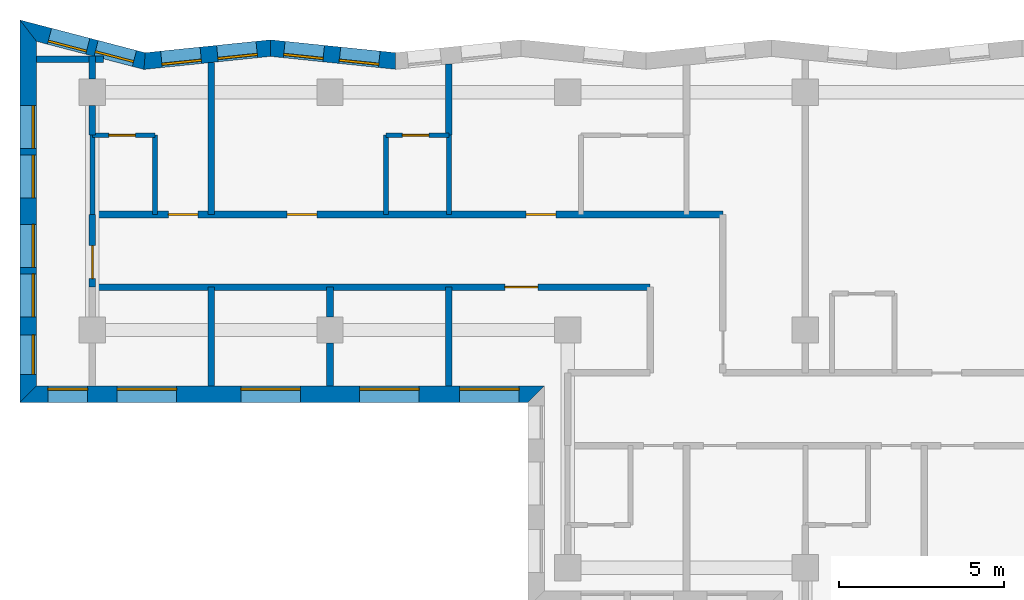
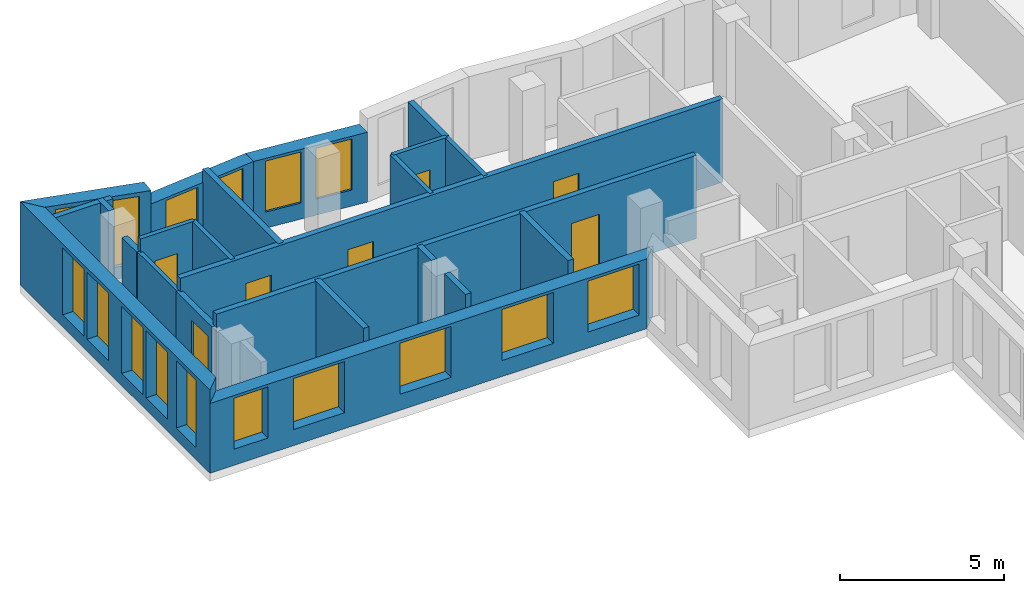
# One storey, part 5 of 12: 23 walls, 16 windows, 7 doors, 23 openings.
"""IFC4 building model written with IfcOpenShell, lengths in metres."""

from ifc_helpers import new_model, si_unit, direction, frame, frame_2d, origin, place, context, subcontext, project, spatial, polyline, rectangle, outline, extrude, material, layer, layer_set, type_object, element, fill, save


model = new_model("IFC4")

# Units and contexts
model_context = context("Model", 3, precision=1e-05, world=origin(), true_north=direction((0.0, 1.0)))
body_context = subcontext(model_context, "Body", "Model", "MODEL_VIEW")
ifc_project = project(units=[si_unit("LENGTHUNIT", "METRE"), si_unit("AREAUNIT", "SQUARE_METRE"), si_unit("VOLUMEUNIT", "CUBIC_METRE"), si_unit("PLANEANGLEUNIT", "RADIAN"), si_unit("MASSUNIT", "GRAM", prefix="KILO")], contexts=[model_context])

# Site, building, storey
site_placement = place(None, origin())
site = spatial("IfcSite", under=ifc_project, at=site_placement, CompositionType="ELEMENT")
building_placement = place(site_placement, origin())
building = spatial("IfcBuilding", under=site, at=building_placement, Name="Windrow Commons", CompositionType="ELEMENT")
storey_placement = place(building_placement, frame((0.0, 0.0, 199.8)))
storey = spatial("IfcBuildingStorey", under=building, at=storey_placement, Name="L54", CompositionType="ELEMENT", Elevation=199.8)

# Wall, openings, windows
ifc_material_1 = material(Name="Brick masonry, red clay brick", Category="masonry")
ifc_layer_1 = layer(ifc_material_1, 0.5)
ifc_layer_set_1 = layer_set([ifc_layer_1], Name="Brick facade wall 500")
wall_type_1 = type_object("IfcWallType", Name="Brick facade wall 500", PredefinedType="SOLIDWALL", material=ifc_layer_set_1)
wall_1_placement = place(storey_placement, frame((30.79, 72.9487, 0.0), z_axis=(0.0, 0.0, 1.0), x_axis=(-0.9947306832, 0.1025225234, 0.0)))
wall_1 = element("IfcWall", 1, at=wall_1_placement, inside=storey, type_object=wall_type_1, Name="Brick facade wall L54 30", PredefinedType="SOLIDWALL", context=body_context, shape_type="SweptSolid", body=[
    extrude(outline(polyline([(0.0258, -0.25), (3.8395, -0.25), (3.788, 0.25), (-0.0258, 0.25), (0.0258, -0.25)])), origin(), (0.0, 0.0, 1.0), 2.6),
])
opening_1_placement = place(wall_1_placement, frame((0.5003, 0.0, 0.6)))
opening_1 = element("IfcOpeningElement", 2, at=opening_1_placement, cuts=wall_1, Name="Opening W7G", PredefinedType="OPENING", context=body_context, shape_type="SweptSolid", body=[
    extrude(rectangle(XDim=1.2, YDim=1.9, at=frame_2d((0.6, 0.95))), frame((0.0, 0.26, 0.0), z_axis=(0.0, -1.0, 0.0), x_axis=(1.0, 0.0, 0.0)), (0.0, 0.0, 1.0), 0.52),
])
opening_2_placement = place(wall_1_placement, frame((2.1943, 0.0, 0.6)))
opening_2 = element("IfcOpeningElement", 3, at=opening_2_placement, cuts=wall_1, Name="Opening W7G", PredefinedType="OPENING", context=body_context, shape_type="SweptSolid", body=[
    extrude(rectangle(XDim=1.2, YDim=1.9, at=frame_2d((0.6, 0.95))), frame((0.0, 0.26, 0.0), z_axis=(0.0, -1.0, 0.0), x_axis=(1.0, 0.0, 0.0)), (0.0, 0.0, 1.0), 0.52),
])
ifc_material_2 = material(Name="Clear float glass in anodised aluminium frame", Category="aluminium")
window_type_1 = type_object("IfcWindowType", Name="Window W7 notch 1200x1900", PartitioningType="SINGLE_PANEL", PredefinedType="WINDOW", material=ifc_material_2)
window_1_placement = place(opening_1_placement, origin())
window_1 = element("IfcWindow", 4, at=window_1_placement, inside=storey, type_object=window_type_1, Name="Window L54 30.1", OverallHeight=1.9, OverallWidth=1.2, PartitioningType="SINGLE_PANEL", PredefinedType="WINDOW", context=body_context, shape_type="SweptSolid", body=[
    extrude(rectangle(XDim=1.2, YDim=1.9, at=frame_2d((0.6, 0.95))), frame((0.0, 0.18, 0.0), z_axis=(0.0, -1.0, 0.0), x_axis=(1.0, 0.0, 0.0)), (0.0, 0.0, 1.0), 0.06),
])
fill(opening_1, window_1)
window_2_placement = place(opening_2_placement, origin())
window_2 = element("IfcWindow", 5, at=window_2_placement, inside=storey, type_object=window_type_1, Name="Window L54 30.2", OverallHeight=1.9, OverallWidth=1.2, PartitioningType="SINGLE_PANEL", PredefinedType="WINDOW", context=body_context, shape_type="SweptSolid", body=[
    extrude(rectangle(XDim=1.2, YDim=1.9, at=frame_2d((0.6, 0.95))), frame((0.0, 0.18, 0.0), z_axis=(0.0, -1.0, 0.0), x_axis=(1.0, 0.0, 0.0)), (0.0, 0.0, 1.0), 0.06),
])
fill(opening_2, window_2)

wall_2_placement = place(storey_placement, frame((26.9963, 73.3397, 0.0), z_axis=(0.0, 0.0, 1.0), x_axis=(-0.994730395, -0.10252532, 0.0)))
wall_2 = element("IfcWall", 6, at=wall_2_placement, inside=storey, type_object=wall_type_1, Name="Brick facade wall L54 31", PredefinedType="SOLIDWALL", context=body_context, shape_type="SweptSolid", body=[
    extrude(outline(polyline([(-0.0258, -0.25), (3.788, -0.25), (3.8785, 0.25), (0.0258, 0.25), (-0.0258, -0.25)])), origin(), (0.0, 0.0, 1.0), 2.6),
])
opening_3_placement = place(wall_2_placement, frame((0.4158, 0.0, 0.6)))
opening_3 = element("IfcOpeningElement", 7, at=opening_3_placement, cuts=wall_2, Name="Opening W7G", PredefinedType="OPENING", context=body_context, shape_type="SweptSolid", body=[
    extrude(rectangle(XDim=1.2, YDim=1.9, at=frame_2d((0.6, 0.95))), frame((0.0, 0.26, 0.0), z_axis=(0.0, -1.0, 0.0), x_axis=(1.0, 0.0, 0.0)), (0.0, 0.0, 1.0), 0.52),
])
opening_4_placement = place(wall_2_placement, frame((2.1195, 0.0, 0.6)))
opening_4 = element("IfcOpeningElement", 8, at=opening_4_placement, cuts=wall_2, Name="Opening W7G", PredefinedType="OPENING", context=body_context, shape_type="SweptSolid", body=[
    extrude(rectangle(XDim=1.2, YDim=1.9, at=frame_2d((0.6, 0.95))), frame((0.0, 0.26, 0.0), z_axis=(0.0, -1.0, 0.0), x_axis=(1.0, 0.0, 0.0)), (0.0, 0.0, 1.0), 0.52),
])
window_3_placement = place(opening_3_placement, origin())
window_3 = element("IfcWindow", 9, at=window_3_placement, inside=storey, type_object=window_type_1, Name="Window L54 31.1", OverallHeight=1.9, OverallWidth=1.2, PartitioningType="SINGLE_PANEL", PredefinedType="WINDOW", context=body_context, shape_type="SweptSolid", body=[
    extrude(rectangle(XDim=1.2, YDim=1.9, at=frame_2d((0.6, 0.95))), frame((0.0, 0.18, 0.0), z_axis=(0.0, -1.0, 0.0), x_axis=(1.0, 0.0, 0.0)), (0.0, 0.0, 1.0), 0.06),
])
fill(opening_3, window_3)
window_4_placement = place(opening_4_placement, origin())
window_4 = element("IfcWindow", 10, at=window_4_placement, inside=storey, type_object=window_type_1, Name="Window L54 31.2", OverallHeight=1.9, OverallWidth=1.2, PartitioningType="SINGLE_PANEL", PredefinedType="WINDOW", context=body_context, shape_type="SweptSolid", body=[
    extrude(rectangle(XDim=1.2, YDim=1.9, at=frame_2d((0.6, 0.95))), frame((0.0, 0.18, 0.0), z_axis=(0.0, -1.0, 0.0), x_axis=(1.0, 0.0, 0.0)), (0.0, 0.0, 1.0), 0.06),
])
fill(opening_4, window_4)

wall_3_placement = place(storey_placement, frame((23.1833, 72.9467, 0.0), z_axis=(0.0, 0.0, 1.0), x_axis=(-0.9675355908, 0.2527348026, 0.0)))
wall_3 = element("IfcWall", 11, at=wall_3_placement, inside=storey, type_object=wall_type_1, Name="Brick facade wall L54 32", PredefinedType="SOLIDWALL", context=body_context, shape_type="SweptSolid", body=[
    extrude(outline(polyline([(0.0453, -0.25), (3.9662, -0.25), (3.3188, 0.25), (-0.0453, 0.25), (0.0453, -0.25)])), origin(), (0.0, 0.0, 1.0), 3.1),
])
opening_5_placement = place(wall_3_placement, frame((0.3182, 0.0, 0.45)))
opening_5 = element("IfcOpeningElement", 12, at=opening_5_placement, cuts=wall_3, Name="Opening W7E", PredefinedType="OPENING", context=body_context, shape_type="SweptSolid", body=[
    extrude(rectangle(XDim=1.2, YDim=2.5, at=frame_2d((0.6, 1.25))), frame((0.0, 0.26, 0.0), z_axis=(0.0, -1.0, 0.0), x_axis=(1.0, 0.0, 0.0)), (0.0, 0.0, 1.0), 0.52),
])
opening_6_placement = place(wall_3_placement, frame((1.7776, 0.0, 0.45)))
opening_6 = element("IfcOpeningElement", 13, at=opening_6_placement, cuts=wall_3, Name="Opening W7E", PredefinedType="OPENING", context=body_context, shape_type="SweptSolid", body=[
    extrude(rectangle(XDim=1.2, YDim=2.5, at=frame_2d((0.6, 1.25))), frame((0.0, 0.26, 0.0), z_axis=(0.0, -1.0, 0.0), x_axis=(1.0, 0.0, 0.0)), (0.0, 0.0, 1.0), 0.52),
])
ifc_material_3 = material(Name="Clear float glass in anodised aluminium frame", Category="aluminium")
window_type_2 = type_object("IfcWindowType", Name="Window W7 notch 1200x2500", PartitioningType="SINGLE_PANEL", PredefinedType="WINDOW", material=ifc_material_3)
window_5_placement = place(opening_5_placement, origin())
window_5 = element("IfcWindow", 14, at=window_5_placement, inside=storey, type_object=window_type_2, Name="Window L54 32.1", OverallHeight=2.5, OverallWidth=1.2, PartitioningType="SINGLE_PANEL", PredefinedType="WINDOW", context=body_context, shape_type="SweptSolid", body=[
    extrude(rectangle(XDim=1.2, YDim=2.5, at=frame_2d((0.6, 1.25))), frame((0.0, 0.13, 0.0), z_axis=(0.0, -1.0, 0.0), x_axis=(1.0, 0.0, 0.0)), (0.0, 0.0, 1.0), 0.06),
])
fill(opening_5, window_5)
window_6_placement = place(opening_6_placement, origin())
window_6 = element("IfcWindow", 15, at=window_6_placement, inside=storey, type_object=window_type_2, Name="Window L54 32.2", OverallHeight=2.5, OverallWidth=1.2, PartitioningType="SINGLE_PANEL", PredefinedType="WINDOW", context=body_context, shape_type="SweptSolid", body=[
    extrude(rectangle(XDim=1.2, YDim=2.5, at=frame_2d((0.6, 1.25))), frame((0.0, 0.18, 0.0), z_axis=(0.0, -1.0, 0.0), x_axis=(1.0, 0.0, 0.0)), (0.0, 0.0, 1.0), 0.06),
])
fill(opening_6, window_6)

wall_4_placement = place(storey_placement, frame((19.659, 73.8673, 0.0), z_axis=(0.0, 0.0, 1.0), x_axis=(0.0, -1.0, 0.0)))
wall_4 = element("IfcWall", 16, at=wall_4_placement, inside=storey, type_object=wall_type_1, Name="Brick facade wall L54 33", PredefinedType="SOLIDWALL", context=body_context, shape_type="SweptSolid", body=[
    extrude(outline(polyline([(-0.3237, -0.25), (11.2583, -0.25), (10.7583, 0.25), (0.3237, 0.25), (-0.3237, -0.25)])), origin(), (0.0, 0.0, 1.0), 3.1),
])
opening_7_placement = place(wall_4_placement, frame((2.2673, 0.0, 0.45)))
opening_7 = element("IfcOpeningElement", 17, at=opening_7_placement, cuts=wall_4, Name="Opening W1Q", PredefinedType="OPENING", context=body_context, shape_type="SweptSolid", body=[
    extrude(rectangle(XDim=1.3, YDim=2.5, at=frame_2d((0.65, 1.25))), frame((0.0, 0.26, 0.0), z_axis=(0.0, -1.0, 0.0), x_axis=(1.0, 0.0, 0.0)), (0.0, 0.0, 1.0), 0.52),
])
opening_8_placement = place(wall_4_placement, frame((3.7673, 0.0, 0.45)))
opening_8 = element("IfcOpeningElement", 18, at=opening_8_placement, cuts=wall_4, Name="Opening W1Q", PredefinedType="OPENING", context=body_context, shape_type="SweptSolid", body=[
    extrude(rectangle(XDim=1.3, YDim=2.5, at=frame_2d((0.65, 1.25))), frame((0.0, 0.26, 0.0), z_axis=(0.0, -1.0, 0.0), x_axis=(1.0, 0.0, 0.0)), (0.0, 0.0, 1.0), 0.52),
])
opening_9_placement = place(wall_4_placement, frame((5.8673, 0.0, 0.45)))
opening_9 = element("IfcOpeningElement", 19, at=opening_9_placement, cuts=wall_4, Name="Opening W1Q", PredefinedType="OPENING", context=body_context, shape_type="SweptSolid", body=[
    extrude(rectangle(XDim=1.3, YDim=2.5, at=frame_2d((0.65, 1.25))), frame((0.0, 0.26, 0.0), z_axis=(0.0, -1.0, 0.0), x_axis=(1.0, 0.0, 0.0)), (0.0, 0.0, 1.0), 0.52),
])
opening_10_placement = place(wall_4_placement, frame((7.3673, 0.0, 0.45)))
opening_10 = element("IfcOpeningElement", 20, at=opening_10_placement, cuts=wall_4, Name="Opening W1Q", PredefinedType="OPENING", context=body_context, shape_type="SweptSolid", body=[
    extrude(rectangle(XDim=1.3, YDim=2.5, at=frame_2d((0.65, 1.25))), frame((0.0, 0.26, 0.0), z_axis=(0.0, -1.0, 0.0), x_axis=(1.0, 0.0, 0.0)), (0.0, 0.0, 1.0), 0.52),
])
opening_11_placement = place(wall_4_placement, frame((9.2128, 0.0, 0.45)))
opening_11 = element("IfcOpeningElement", 21, at=opening_11_placement, cuts=wall_4, Name="Opening W7E", PredefinedType="OPENING", context=body_context, shape_type="SweptSolid", body=[
    extrude(rectangle(XDim=1.2, YDim=2.5, at=frame_2d((0.6, 1.25))), frame((0.0, 0.26, 0.0), z_axis=(0.0, -1.0, 0.0), x_axis=(1.0, 0.0, 0.0)), (0.0, 0.0, 1.0), 0.52),
])
ifc_material_4 = material(Name="Clear float glass in anodised aluminium frame", Category="aluminium")
window_type_3 = type_object("IfcWindowType", Name="Window W1Q pair 1300x2500", PartitioningType="SINGLE_PANEL", PredefinedType="WINDOW", material=ifc_material_4)
window_7_placement = place(opening_7_placement, origin())
window_7 = element("IfcWindow", 22, at=window_7_placement, inside=storey, type_object=window_type_3, Name="Window L54 33.1A", OverallHeight=2.5, OverallWidth=1.3, PartitioningType="SINGLE_PANEL", PredefinedType="WINDOW", context=body_context, shape_type="SweptSolid", body=[
    extrude(rectangle(XDim=1.3, YDim=2.5, at=frame_2d((0.65, 1.25))), frame((0.0, 0.18, 0.0), z_axis=(0.0, -1.0, 0.0), x_axis=(1.0, 0.0, 0.0)), (0.0, 0.0, 1.0), 0.06),
])
fill(opening_7, window_7)
window_8_placement = place(opening_8_placement, origin())
window_8 = element("IfcWindow", 23, at=window_8_placement, inside=storey, type_object=window_type_3, Name="Window L54 33.1B", OverallHeight=2.5, OverallWidth=1.3, PartitioningType="SINGLE_PANEL", PredefinedType="WINDOW", context=body_context, shape_type="SweptSolid", body=[
    extrude(rectangle(XDim=1.3, YDim=2.5, at=frame_2d((0.65, 1.25))), frame((0.0, 0.18, 0.0), z_axis=(0.0, -1.0, 0.0), x_axis=(1.0, 0.0, 0.0)), (0.0, 0.0, 1.0), 0.06),
])
fill(opening_8, window_8)
window_9_placement = place(opening_9_placement, origin())
window_9 = element("IfcWindow", 24, at=window_9_placement, inside=storey, type_object=window_type_3, Name="Window L54 33.2A", OverallHeight=2.5, OverallWidth=1.3, PartitioningType="SINGLE_PANEL", PredefinedType="WINDOW", context=body_context, shape_type="SweptSolid", body=[
    extrude(rectangle(XDim=1.3, YDim=2.5, at=frame_2d((0.65, 1.25))), frame((0.0, 0.18, 0.0), z_axis=(0.0, -1.0, 0.0), x_axis=(1.0, 0.0, 0.0)), (0.0, 0.0, 1.0), 0.06),
])
fill(opening_9, window_9)
window_10_placement = place(opening_10_placement, origin())
window_10 = element("IfcWindow", 25, at=window_10_placement, inside=storey, type_object=window_type_3, Name="Window L54 33.2B", OverallHeight=2.5, OverallWidth=1.3, PartitioningType="SINGLE_PANEL", PredefinedType="WINDOW", context=body_context, shape_type="SweptSolid", body=[
    extrude(rectangle(XDim=1.3, YDim=2.5, at=frame_2d((0.65, 1.25))), frame((0.0, 0.18, 0.0), z_axis=(0.0, -1.0, 0.0), x_axis=(1.0, 0.0, 0.0)), (0.0, 0.0, 1.0), 0.06),
])
fill(opening_10, window_10)
window_11_placement = place(opening_11_placement, origin())
window_11 = element("IfcWindow", 26, at=window_11_placement, inside=storey, type_object=window_type_2, Name="Window L54 33.3", OverallHeight=2.5, OverallWidth=1.2, PartitioningType="SINGLE_PANEL", PredefinedType="WINDOW", context=body_context, shape_type="SweptSolid", body=[
    extrude(rectangle(XDim=1.2, YDim=2.5, at=frame_2d((0.6, 1.25))), frame((0.0, 0.18, 0.0), z_axis=(0.0, -1.0, 0.0), x_axis=(1.0, 0.0, 0.0)), (0.0, 0.0, 1.0), 0.06),
])
fill(opening_11, window_11)

wall_5_placement = place(storey_placement, frame((19.659, 62.859, 0.0), z_axis=(0.0, 0.0, 1.0), x_axis=(1.0, 0.0, 0.0)))
wall_5 = element("IfcWall", 27, at=wall_5_placement, inside=storey, type_object=wall_type_1, Name="Brick facade wall L54 34", PredefinedType="SOLIDWALL", context=body_context, shape_type="SweptSolid", body=[
    extrude(outline(polyline([(-0.25, -0.25), (15.141, -0.25), (15.641, 0.25), (0.25, 0.25), (-0.25, -0.25)])), origin(), (0.0, 0.0, 1.0), 2.6),
])
opening_12_placement = place(wall_5_placement, frame((2.691, 0.0, 0.6)))
opening_12 = element("IfcOpeningElement", 28, at=opening_12_placement, cuts=wall_5, Name="Opening W1L", PredefinedType="OPENING", context=body_context, shape_type="SweptSolid", body=[
    extrude(rectangle(XDim=1.8, YDim=1.9, at=frame_2d((0.9, 0.95))), frame((0.0, 0.26, 0.0), z_axis=(0.0, -1.0, 0.0), x_axis=(1.0, 0.0, 0.0)), (0.0, 0.0, 1.0), 0.52),
])
opening_13_placement = place(wall_5_placement, frame((6.441, 0.0, 0.6)))
opening_13 = element("IfcOpeningElement", 29, at=opening_13_placement, cuts=wall_5, Name="Opening W1L", PredefinedType="OPENING", context=body_context, shape_type="SweptSolid", body=[
    extrude(rectangle(XDim=1.8, YDim=1.9, at=frame_2d((0.9, 0.95))), frame((0.0, 0.26, 0.0), z_axis=(0.0, -1.0, 0.0), x_axis=(1.0, 0.0, 0.0)), (0.0, 0.0, 1.0), 0.52),
])
opening_14_placement = place(wall_5_placement, frame((10.041, 0.0, 0.6)))
opening_14 = element("IfcOpeningElement", 30, at=opening_14_placement, cuts=wall_5, Name="Opening W1L", PredefinedType="OPENING", context=body_context, shape_type="SweptSolid", body=[
    extrude(rectangle(XDim=1.8, YDim=1.9, at=frame_2d((0.9, 0.95))), frame((0.0, 0.26, 0.0), z_axis=(0.0, -1.0, 0.0), x_axis=(1.0, 0.0, 0.0)), (0.0, 0.0, 1.0), 0.52),
])
opening_15_placement = place(wall_5_placement, frame((13.066, 0.0, 0.6)))
opening_15 = element("IfcOpeningElement", 31, at=opening_15_placement, cuts=wall_5, Name="Opening W1L", PredefinedType="OPENING", context=body_context, shape_type="SweptSolid", body=[
    extrude(rectangle(XDim=1.8, YDim=1.9, at=frame_2d((0.9, 0.95))), frame((0.0, 0.26, 0.0), z_axis=(0.0, -1.0, 0.0), x_axis=(1.0, 0.0, 0.0)), (0.0, 0.0, 1.0), 0.52),
])
opening_16_placement = place(wall_5_placement, frame((0.5955, 0.0, 0.6)))
opening_16 = element("IfcOpeningElement", 32, at=opening_16_placement, cuts=wall_5, Name="Opening W7G", PredefinedType="OPENING", context=body_context, shape_type="SweptSolid", body=[
    extrude(rectangle(XDim=1.2, YDim=1.9, at=frame_2d((0.6, 0.95))), frame((0.0, 0.26, 0.0), z_axis=(0.0, -1.0, 0.0), x_axis=(1.0, 0.0, 0.0)), (0.0, 0.0, 1.0), 0.52),
])
ifc_material_5 = material(Name="Clear float glass in anodised aluminium frame", Category="aluminium")
window_type_4 = type_object("IfcWindowType", Name="Window W1L bedroom 1800x1900", PartitioningType="SINGLE_PANEL", PredefinedType="WINDOW", material=ifc_material_5)
window_12_placement = place(opening_12_placement, origin())
window_12 = element("IfcWindow", 33, at=window_12_placement, inside=storey, type_object=window_type_4, Name="Window L54 34.1", OverallHeight=1.9, OverallWidth=1.8, PartitioningType="SINGLE_PANEL", PredefinedType="WINDOW", context=body_context, shape_type="SweptSolid", body=[
    extrude(rectangle(XDim=1.8, YDim=1.9, at=frame_2d((0.9, 0.95))), frame((0.0, 0.18, 0.0), z_axis=(0.0, -1.0, 0.0), x_axis=(1.0, 0.0, 0.0)), (0.0, 0.0, 1.0), 0.06),
])
fill(opening_12, window_12)
window_13_placement = place(opening_13_placement, origin())
window_13 = element("IfcWindow", 34, at=window_13_placement, inside=storey, type_object=window_type_4, Name="Window L54 34.2", OverallHeight=1.9, OverallWidth=1.8, PartitioningType="SINGLE_PANEL", PredefinedType="WINDOW", context=body_context, shape_type="SweptSolid", body=[
    extrude(rectangle(XDim=1.8, YDim=1.9, at=frame_2d((0.9, 0.95))), frame((0.0, 0.18, 0.0), z_axis=(0.0, -1.0, 0.0), x_axis=(1.0, 0.0, 0.0)), (0.0, 0.0, 1.0), 0.06),
])
fill(opening_13, window_13)
window_14_placement = place(opening_14_placement, origin())
window_14 = element("IfcWindow", 35, at=window_14_placement, inside=storey, type_object=window_type_4, Name="Window L54 34.3", OverallHeight=1.9, OverallWidth=1.8, PartitioningType="SINGLE_PANEL", PredefinedType="WINDOW", context=body_context, shape_type="SweptSolid", body=[
    extrude(rectangle(XDim=1.8, YDim=1.9, at=frame_2d((0.9, 0.95))), frame((0.0, 0.18, 0.0), z_axis=(0.0, -1.0, 0.0), x_axis=(1.0, 0.0, 0.0)), (0.0, 0.0, 1.0), 0.06),
])
fill(opening_14, window_14)
window_15_placement = place(opening_15_placement, origin())
window_15 = element("IfcWindow", 36, at=window_15_placement, inside=storey, type_object=window_type_4, Name="Window L54 34.4", OverallHeight=1.9, OverallWidth=1.8, PartitioningType="SINGLE_PANEL", PredefinedType="WINDOW", context=body_context, shape_type="SweptSolid", body=[
    extrude(rectangle(XDim=1.8, YDim=1.9, at=frame_2d((0.9, 0.95))), frame((0.0, 0.18, 0.0), z_axis=(0.0, -1.0, 0.0), x_axis=(1.0, 0.0, 0.0)), (0.0, 0.0, 1.0), 0.06),
])
fill(opening_15, window_15)
window_16_placement = place(opening_16_placement, origin())
window_16 = element("IfcWindow", 37, at=window_16_placement, inside=storey, type_object=window_type_1, Name="Window L54 34.5", OverallHeight=1.9, OverallWidth=1.2, PartitioningType="SINGLE_PANEL", PredefinedType="WINDOW", context=body_context, shape_type="SweptSolid", body=[
    extrude(rectangle(XDim=1.2, YDim=1.9, at=frame_2d((0.6, 0.95))), frame((0.0, 0.18, 0.0), z_axis=(0.0, -1.0, 0.0), x_axis=(1.0, 0.0, 0.0)), (0.0, 0.0, 1.0), 0.06),
])
fill(opening_16, window_16)

# Wall, openings, doors
ifc_material_6 = material(Name="Blockwork partition", Category="masonry")
ifc_layer_2 = layer(ifc_material_6, 0.2)
ifc_layer_set_2 = layer_set([ifc_layer_2], Name="IW-CORRIDOR-200")
wall_type_2 = type_object("IfcWallType", Name="IW-CORRIDOR-200", PredefinedType="PARTITIONING", material=ifc_layer_set_2)
wall_6_placement = place(storey_placement, frame((21.6, 68.3, 0.0), z_axis=(0.0, 0.0, 1.0), x_axis=(1.0, 0.0, 0.0)))
wall_6 = element("IfcWall", 38, at=wall_6_placement, inside=storey, type_object=wall_type_2, Name="W-L54-W002", PredefinedType="PARTITIONING", context=body_context, shape_type="SweptSolid", body=[
    extrude(rectangle(XDim=19.1, YDim=0.2, at=frame_2d((9.55, 0.0))), origin(), (0.0, 0.0, 1.0), 3.1),
])
opening_17_placement = place(wall_6_placement, frame((2.3, 0.0, 0.0)))
opening_17 = element("IfcOpeningElement", 39, at=opening_17_placement, cuts=wall_6, Name="Opening D109S", PredefinedType="OPENING", context=body_context, shape_type="SweptSolid", body=[
    extrude(rectangle(XDim=0.9, YDim=2.1, at=frame_2d((0.45, 1.05))), frame((0.0, 0.11, 0.0), z_axis=(0.0, -1.0, 0.0), x_axis=(1.0, 0.0, 0.0)), (0.0, 0.0, 1.0), 0.22),
])
opening_18_placement = place(wall_6_placement, frame((5.9006, 0.0, 0.0)))
opening_18 = element("IfcOpeningElement", 40, at=opening_18_placement, cuts=wall_6, Name="Opening D109F", PredefinedType="OPENING", context=body_context, shape_type="SweptSolid", body=[
    extrude(rectangle(XDim=0.9, YDim=2.1, at=frame_2d((0.45, 1.05))), frame((0.0, 0.11, 0.0), z_axis=(0.0, -1.0, 0.0), x_axis=(1.0, 0.0, 0.0)), (0.0, 0.0, 1.0), 0.22),
])
opening_19_placement = place(wall_6_placement, frame((13.1393, 0.0, 0.0)))
opening_19 = element("IfcOpeningElement", 41, at=opening_19_placement, cuts=wall_6, Name="Opening D109F", PredefinedType="OPENING", context=body_context, shape_type="SweptSolid", body=[
    extrude(rectangle(XDim=0.9, YDim=2.1, at=frame_2d((0.45, 1.05))), frame((0.0, 0.11, 0.0), z_axis=(0.0, -1.0, 0.0), x_axis=(1.0, 0.0, 0.0)), (0.0, 0.0, 1.0), 0.22),
])
ifc_material_7 = material(Name="Timber door leaf", Category="wood")
door_type_1 = type_object("IfcDoorType", Name="DT-BEDROOM-900", OperationType="SINGLE_SWING_LEFT", PredefinedType="DOOR", material=ifc_material_7)
door_1_placement = place(opening_17_placement, origin())
door_1 = element("IfcDoor", 42, at=door_1_placement, inside=storey, type_object=door_type_1, Name="D-L54-D002", OperationType="SINGLE_SWING_RIGHT", OverallHeight=2.1, OverallWidth=0.9, PredefinedType="DOOR", context=body_context, shape_type="SweptSolid", body=[
    extrude(rectangle(XDim=0.9, YDim=2.1, at=frame_2d((0.45, 1.05))), frame((0.0, 0.025, 0.0), z_axis=(0.0, -1.0, 0.0), x_axis=(1.0, 0.0, 0.0)), (0.0, 0.0, 1.0), 0.05),
])
fill(opening_17, door_1)
door_2_placement = place(opening_18_placement, origin())
door_2 = element("IfcDoor", 43, at=door_2_placement, inside=storey, type_object=door_type_1, Name="D-L54-D004", OperationType="SINGLE_SWING_LEFT", OverallHeight=2.1, OverallWidth=0.9, PredefinedType="DOOR", context=body_context, shape_type="SweptSolid", body=[
    extrude(rectangle(XDim=0.9, YDim=2.1, at=frame_2d((0.45, 1.05))), frame((0.0, 0.025, 0.0), z_axis=(0.0, -1.0, 0.0), x_axis=(1.0, 0.0, 0.0)), (0.0, 0.0, 1.0), 0.05),
])
fill(opening_18, door_2)
door_3_placement = place(opening_19_placement, origin())
door_3 = element("IfcDoor", 44, at=door_3_placement, inside=storey, type_object=door_type_1, Name="D-L54-D006", OperationType="SINGLE_SWING_LEFT", OverallHeight=2.1, OverallWidth=0.9, PredefinedType="DOOR", context=body_context, shape_type="SweptSolid", body=[
    extrude(rectangle(XDim=0.9, YDim=2.1, at=frame_2d((0.45, 1.05))), frame((0.0, 0.025, 0.0), z_axis=(0.0, -1.0, 0.0), x_axis=(1.0, 0.0, 0.0)), (0.0, 0.0, 1.0), 0.05),
])
fill(opening_19, door_3)

# Wall, opening, door
wall_7_placement = place(storey_placement, frame((21.6, 66.1, 0.0), z_axis=(0.0, 0.0, 1.0), x_axis=(1.0, 0.0, 0.0)))
wall_7 = element("IfcWall", 45, at=wall_7_placement, inside=storey, type_object=wall_type_2, Name="W-L54-W003", PredefinedType="PARTITIONING", context=body_context, shape_type="SweptSolid", body=[
    extrude(rectangle(XDim=16.9, YDim=0.2, at=frame_2d((8.45, 0.0))), origin(), (0.0, 0.0, 1.0), 3.1),
])
opening_20_placement = place(wall_7_placement, frame((12.4933, 0.0, 0.0)))
opening_20 = element("IfcOpeningElement", 46, at=opening_20_placement, cuts=wall_7, Name="Opening D310F", PredefinedType="OPENING", context=body_context, shape_type="SweptSolid", body=[
    extrude(rectangle(XDim=1.0, YDim=2.1, at=frame_2d((0.5, 1.05))), frame((0.0, 0.11, 0.0), z_axis=(0.0, -1.0, 0.0), x_axis=(1.0, 0.0, 0.0)), (0.0, 0.0, 1.0), 0.22),
])
ifc_material_8 = material(Name="Timber door leaf", Category="wood")
door_type_2 = type_object("IfcDoorType", Name="DT-AMENITY-1000", OperationType="SINGLE_SWING_LEFT", PredefinedType="DOOR", material=ifc_material_8)
door_4_placement = place(opening_20_placement, origin())
door_4 = element("IfcDoor", 47, at=door_4_placement, inside=storey, type_object=door_type_2, Name="D-L54-D011", OperationType="SINGLE_SWING_RIGHT", OverallHeight=2.1, OverallWidth=1.0, PredefinedType="DOOR", context=body_context, shape_type="SweptSolid", body=[
    extrude(rectangle(XDim=1.0, YDim=2.1, at=frame_2d((0.5, 1.05))), frame((0.0, 0.025, 0.0), z_axis=(0.0, -1.0, 0.0), x_axis=(1.0, 0.0, 0.0)), (0.0, 0.0, 1.0), 0.05),
])
fill(opening_20, door_4)

wall_8_placement = place(storey_placement, frame((21.6, 66.1, 0.0), z_axis=(0.0, 0.0, 1.0), x_axis=(0.0, 1.0, 0.0)))
wall_8 = element("IfcWall", 48, at=wall_8_placement, inside=storey, type_object=wall_type_2, Name="W-L54-W092", PredefinedType="PARTITIONING", context=body_context, shape_type="SweptSolid", body=[
    extrude(rectangle(XDim=2.2, YDim=0.2, at=frame_2d((1.1, 0.0))), origin(), (0.0, 0.0, 1.0), 2.6),
])
opening_21_placement = place(wall_8_placement, frame((0.2533, 0.0, 0.0)))
opening_21 = element("IfcOpeningElement", 49, at=opening_21_placement, cuts=wall_8, Name="Opening D310F", PredefinedType="OPENING", context=body_context, shape_type="SweptSolid", body=[
    extrude(rectangle(XDim=1.0, YDim=2.1, at=frame_2d((0.5, 1.05))), frame((0.0, 0.11, 0.0), z_axis=(0.0, -1.0, 0.0), x_axis=(1.0, 0.0, 0.0)), (0.0, 0.0, 1.0), 0.22),
])
door_5_placement = place(opening_21_placement, origin())
door_5 = element("IfcDoor", 50, at=door_5_placement, inside=storey, type_object=door_type_2, Name="D-L54-D001", OperationType="SINGLE_SWING_RIGHT", OverallHeight=2.1, OverallWidth=1.0, PredefinedType="DOOR", context=body_context, shape_type="SweptSolid", body=[
    extrude(rectangle(XDim=1.0, YDim=2.1, at=frame_2d((0.5, 1.05))), frame((0.0, 0.025, 0.0), z_axis=(0.0, -1.0, 0.0), x_axis=(1.0, 0.0, 0.0)), (0.0, 0.0, 1.0), 0.05),
])
fill(opening_21, door_5)

# Walls
ifc_material_9 = material(Name="Blockwork partition", Category="masonry")
ifc_layer_3 = layer(ifc_material_9, 0.15)
ifc_layer_set_3 = layer_set([ifc_layer_3], Name="IW-ENSUITE-150")
wall_type_3 = type_object("IfcWallType", Name="IW-ENSUITE-150", PredefinedType="PARTITIONING", material=ifc_layer_set_3)
wall_9_placement = place(storey_placement, frame((21.6, 68.3, 0.0), z_axis=(0.0, 0.0, 1.0), x_axis=(0.0, 1.0, 0.0)))
element("IfcWall", 51, at=wall_9_placement, inside=storey, type_object=wall_type_3, Name="W-L54-W062", PredefinedType="PARTITIONING", context=body_context, shape_type="SweptSolid", body=[
    extrude(rectangle(XDim=2.4, YDim=0.15, at=frame_2d((1.2, 0.0))), origin(), (0.0, 0.0, 1.0), 2.6),
])
for number, where, z_axis, x_axis, name in (
    (52, (23.5, 68.3, 0.0), (0.0, 0.0, 1.0), (0.0, 1.0, 0.0), "W-L54-W063"),
    (53, (30.5, 68.3, 0.0), (0.0, 0.0, 1.0), (0.0, 1.0, 0.0), "W-L54-W064"),
    (54, (32.4, 68.3, 0.0), (0.0, 0.0, 1.0), (0.0, 1.0, 0.0), "W-L54-W065"),
):
    element("IfcWall", number, at=place(storey_placement, frame(where, z_axis=z_axis, x_axis=x_axis)), inside=storey, type_object=wall_type_3, Name=name, PredefinedType="PARTITIONING", context=body_context, shape_type="SweptSolid", body=[
        extrude(rectangle(XDim=2.4, YDim=0.15, at=frame_2d((1.2, 0.0))), origin(), (0.0, 0.0, 1.0), 3.1),
    ])

# Wall, opening, door
wall_10_placement = place(storey_placement, frame((21.6, 70.7, 0.0), z_axis=(0.0, 0.0, 1.0), x_axis=(1.0, 0.0, 0.0)))
wall_10 = element("IfcWall", 55, at=wall_10_placement, inside=storey, type_object=wall_type_3, Name="W-L54-W106", PredefinedType="PARTITIONING", context=body_context, shape_type="SweptSolid", body=[
    extrude(rectangle(XDim=1.9, YDim=0.15, at=frame_2d((0.95, 0.0))), origin(), (0.0, 0.0, 1.0), 3.1),
])
opening_22_placement = place(wall_10_placement, frame((0.5021, 0.0, 0.0)))
opening_22 = element("IfcOpeningElement", 56, at=opening_22_placement, cuts=wall_10, Name="Opening D208N", PredefinedType="OPENING", context=body_context, shape_type="SweptSolid", body=[
    extrude(rectangle(XDim=0.8, YDim=2.1, at=frame_2d((0.4, 1.05))), frame((0.0, 0.085, 0.0), z_axis=(0.0, -1.0, 0.0), x_axis=(1.0, 0.0, 0.0)), (0.0, 0.0, 1.0), 0.17),
])
ifc_material_10 = material(Name="Timber door leaf", Category="wood")
door_type_3 = type_object("IfcDoorType", Name="DT-ENSUITE-800", OperationType="SINGLE_SWING_LEFT", PredefinedType="DOOR", material=ifc_material_10)
door_6_placement = place(opening_22_placement, origin())
door_6 = element("IfcDoor", 57, at=door_6_placement, inside=storey, type_object=door_type_3, Name="D-L54-D003", OperationType="SINGLE_SWING_RIGHT", OverallHeight=2.1, OverallWidth=0.8, PredefinedType="DOOR", context=body_context, shape_type="SweptSolid", body=[
    extrude(rectangle(XDim=0.8, YDim=2.1, at=frame_2d((0.4, 1.05))), frame((0.0, 0.025, 0.0), z_axis=(0.0, -1.0, 0.0), x_axis=(1.0, 0.0, 0.0)), (0.0, 0.0, 1.0), 0.05),
])
fill(opening_22, door_6)

wall_11_placement = place(storey_placement, frame((30.5, 70.7, 0.0), z_axis=(0.0, 0.0, 1.0), x_axis=(1.0, 0.0, 0.0)))
wall_11 = element("IfcWall", 58, at=wall_11_placement, inside=storey, type_object=wall_type_3, Name="W-L54-W107", PredefinedType="PARTITIONING", context=body_context, shape_type="SweptSolid", body=[
    extrude(rectangle(XDim=1.9, YDim=0.15, at=frame_2d((0.95, 0.0))), origin(), (0.0, 0.0, 1.0), 3.1),
])
opening_23_placement = place(wall_11_placement, frame((0.4931, 0.0, 0.0)))
opening_23 = element("IfcOpeningElement", 59, at=opening_23_placement, cuts=wall_11, Name="Opening D208N", PredefinedType="OPENING", context=body_context, shape_type="SweptSolid", body=[
    extrude(rectangle(XDim=0.8, YDim=2.1, at=frame_2d((0.4, 1.05))), frame((0.0, 0.085, 0.0), z_axis=(0.0, -1.0, 0.0), x_axis=(1.0, 0.0, 0.0)), (0.0, 0.0, 1.0), 0.17),
])
door_7_placement = place(opening_23_placement, origin())
door_7 = element("IfcDoor", 60, at=door_7_placement, inside=storey, type_object=door_type_3, Name="D-L54-D005", OperationType="SINGLE_SWING_RIGHT", OverallHeight=2.1, OverallWidth=0.8, PredefinedType="DOOR", context=body_context, shape_type="SweptSolid", body=[
    extrude(rectangle(XDim=0.8, YDim=2.1, at=frame_2d((0.4, 1.05))), frame((0.0, 0.025, 0.0), z_axis=(0.0, -1.0, 0.0), x_axis=(1.0, 0.0, 0.0)), (0.0, 0.0, 1.0), 0.05),
])
fill(opening_23, door_7)

# Walls
ifc_material_11 = material(Name="Blockwork partition", Category="masonry")
ifc_layer_4 = layer(ifc_material_11, 0.2)
ifc_layer_set_4 = layer_set([ifc_layer_4], Name="IW-PARTY-200")
wall_type_4 = type_object("IfcWallType", Name="IW-PARTY-200", PredefinedType="PARTITIONING", material=ifc_layer_set_4)
wall_12_placement = place(storey_placement, frame((25.2, 68.3, 0.0), z_axis=(0.0, 0.0, 1.0), x_axis=(0.0, 1.0, 0.0)))
element("IfcWall", 61, at=wall_12_placement, inside=storey, type_object=wall_type_4, Name="W-L54-W037", PredefinedType="PARTITIONING", context=body_context, shape_type="SweptSolid", body=[
    extrude(rectangle(XDim=4.6032, YDim=0.2, at=frame_2d((2.3016, 0.0))), origin(), (0.0, 0.0, 1.0), 3.1),
])
for number, where, z_axis, x_axis, name in (
    (62, (25.2, 63.109, 0.0), (0.0, 0.0, 1.0), (0.0, 1.0, 0.0), "W-L54-W051"),
    (63, (32.4, 63.109, 0.0), (0.0, 0.0, 1.0), (0.0, 1.0, 0.0), "W-L54-W052"),
):
    element("IfcWall", number, at=place(storey_placement, frame(where, z_axis=z_axis, x_axis=x_axis)), inside=storey, type_object=wall_type_4, Name=name, PredefinedType="PARTITIONING", context=body_context, shape_type="SweptSolid", body=[
        extrude(rectangle(XDim=2.991, YDim=0.2, at=frame_2d((1.4955, 0.0))), origin(), (0.0, 0.0, 1.0), 3.1),
    ])
wall_13_placement = place(storey_placement, frame((32.4, 70.7, 0.0), z_axis=(0.0, 0.0, 1.0), x_axis=(0.0, 1.0, 0.0)))
element("IfcWall", 64, at=wall_13_placement, inside=storey, type_object=wall_type_4, Name="W-L54-W097", PredefinedType="PARTITIONING", context=body_context, shape_type="SweptSolid", body=[
    extrude(rectangle(XDim=2.1633, YDim=0.2, at=frame_2d((1.0817, 0.0))), origin(), (0.0, 0.0, 1.0), 3.1),
])
wall_14_placement = place(storey_placement, frame((19.909, 73.0, 0.0), z_axis=(0.0, 0.0, 1.0), x_axis=(1.0, 0.0, 0.0)))
element("IfcWall", 65, at=wall_14_placement, inside=storey, type_object=wall_type_4, Name="W-L54-W101", PredefinedType="PARTITIONING", context=body_context, shape_type="SweptSolid", body=[
    extrude(rectangle(XDim=2.031, YDim=0.2, at=frame_2d((1.0155, 0.0))), origin(), (0.0, 0.0, 1.0), 3.1),
])
wall_15_placement = place(storey_placement, frame((28.8, 63.109, 0.0), z_axis=(0.0, 0.0, 1.0), x_axis=(0.0, 1.0, 0.0)))
element("IfcWall", 66, at=wall_15_placement, inside=storey, type_object=wall_type_4, Name="W-L54-W127", PredefinedType="PARTITIONING", context=body_context, shape_type="SweptSolid", body=[
    extrude(rectangle(XDim=1.291, YDim=0.2, at=frame_2d((0.6455, 0.0))), origin(), (0.0, 0.0, 1.0), 3.1),
])
wall_16_placement = place(storey_placement, frame((21.6, 70.7, 0.0), z_axis=(0.0, 0.0, 1.0), x_axis=(0.0, 1.0, 0.0)))
element("IfcWall", 67, at=wall_16_placement, inside=storey, type_object=wall_type_4, Name="W-L54-W140", PredefinedType="PARTITIONING", context=body_context, shape_type="SweptSolid", body=[
    extrude(rectangle(XDim=0.9, YDim=0.2, at=frame_2d((0.45, 0.0))), origin(), (0.0, 0.0, 1.0), 2.6),
])
wall_17_placement = place(storey_placement, frame((28.8, 65.2, 0.0), z_axis=(0.0, 0.0, 1.0), x_axis=(0.0, 1.0, 0.0)))
element("IfcWall", 68, at=wall_17_placement, inside=storey, type_object=wall_type_4, Name="W-L54-W141", PredefinedType="PARTITIONING", context=body_context, shape_type="SweptSolid", body=[
    extrude(rectangle(XDim=0.9, YDim=0.2, at=frame_2d((0.45, 0.0))), origin(), (0.0, 0.0, 1.0), 3.1),
])
wall_18_placement = place(storey_placement, frame((21.6, 72.4, 0.0), z_axis=(0.0, 0.0, 1.0), x_axis=(0.0, 1.0, 0.0)))
element("IfcWall", 69, at=wall_18_placement, inside=storey, type_object=wall_type_4, Name="W-L54-W147", PredefinedType="PARTITIONING", context=body_context, shape_type="SweptSolid", body=[
    extrude(rectangle(XDim=0.7019, YDim=0.2, at=frame_2d((0.3509, 0.0))), origin(), (0.0, 0.0, 1.0), 3.1),
])

save(model, "model.ifc")
